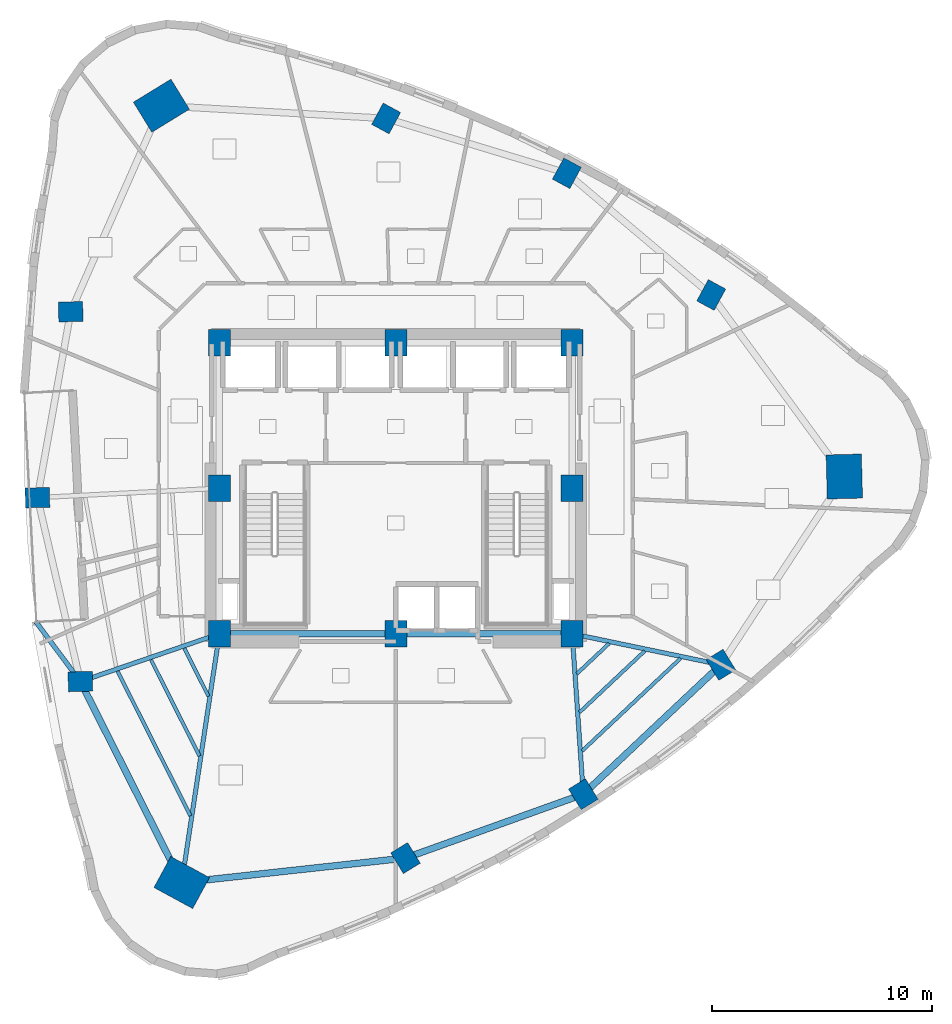
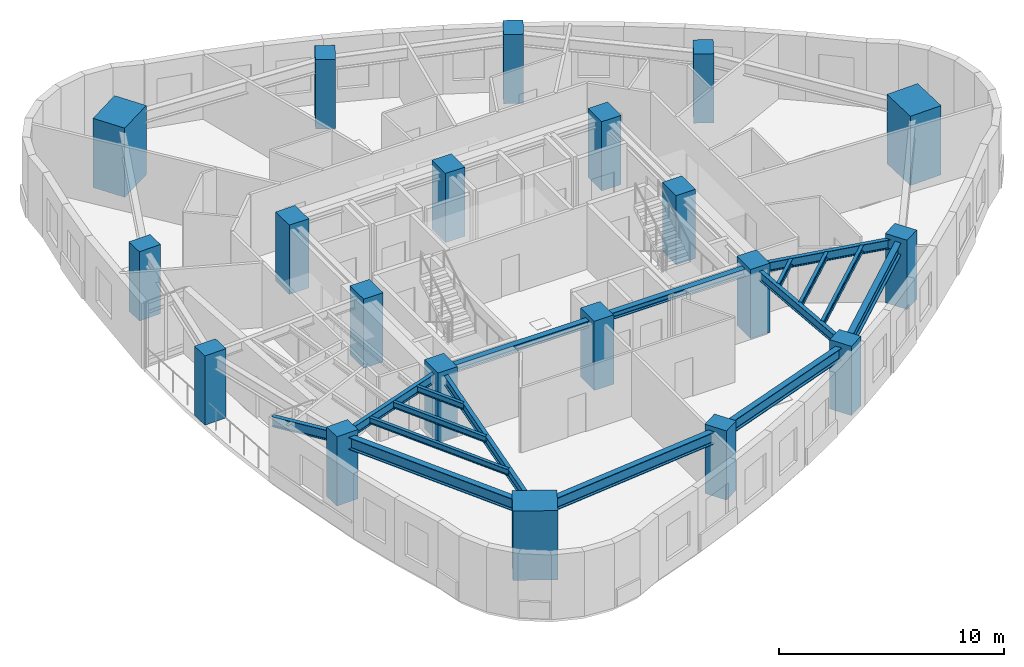
# One storey, part 1 of 12: 20 columns, 17 beams.
"""IFC4 building model written with IfcOpenShell, lengths in metres."""

from ifc_helpers import new_model, si_unit, direction, frame, origin, origin_2d, place, context, subcontext, project, spatial, rectangle, i_section, extrude, material, material_profile, profile_set, type_object, element, save


model = new_model("IFC4")

# Units and contexts
model_context = context("Model", 3, precision=1e-05, world=origin(), true_north=direction((0.0, 1.0)))
body_context = subcontext(model_context, "Body", "Model", "MODEL_VIEW")
ifc_project = project(units=[si_unit("LENGTHUNIT", "METRE"), si_unit("AREAUNIT", "SQUARE_METRE"), si_unit("VOLUMEUNIT", "CUBIC_METRE"), si_unit("PLANEANGLEUNIT", "RADIAN"), si_unit("MASSUNIT", "GRAM", prefix="KILO")], contexts=[model_context])

# Site, building, storey
site_placement = place(None, origin())
site = spatial("IfcSite", under=ifc_project, at=site_placement, CompositionType="ELEMENT")
building_placement = place(site_placement, origin())
building = spatial("IfcBuilding", under=site, at=building_placement, Name="Ndelora Gate Hotel", CompositionType="ELEMENT")
storey_placement = place(building_placement, frame((0.0, 0.0, 138.5)))
storey = spatial("IfcBuildingStorey", under=building, at=storey_placement, Name="L34", CompositionType="ELEMENT", Elevation=138.5)

# Columns
ifc_material_1 = material(Name="Concrete C60/75", Category="concrete")
ifc_material_profile_1 = material_profile(ifc_material_1, rectangle(XDim=1.0, YDim=1.199951171875, at=origin_2d()), Name="RC 1200x1000")
ifc_profile_set_1 = profile_set([ifc_material_profile_1], Name="Concrete C60/75")
column_type_1 = type_object("IfcColumnType", Name="COL-CC-MID", PredefinedType="COLUMN", material=ifc_profile_set_1)
for number, where, z_axis, x_axis, name in (
    (1, (-8.0, -6.60009765625, 0.0), (0.0, 0.0, 1.0), (1.0, 0.0, 0.0), "L34 Core Column CC1"),
    (2, (0.0, -6.60009765625, 0.0), (0.0, 0.0, 1.0), (1.0, 0.0, 0.0), "L34 Core Column CC2"),
    (3, (8.0, -6.60009765625, 0.0), (0.0, 0.0, 1.0), (1.0, 0.0, 0.0), "L34 Core Column CC3"),
    (4, (8.0, 0.0, 0.0), (0.0, 0.0, 1.0), (1.0, 0.0, 0.0), "L34 Core Column CC4"),
    (5, (8.0, 6.60009765625, 0.0), (0.0, 0.0, 1.0), (1.0, 0.0, 0.0), "L34 Core Column CC5"),
    (6, (0.0, 6.60009765625, 0.0), (0.0, 0.0, 1.0), (1.0, 0.0, 0.0), "L34 Core Column CC6"),
    (7, (-8.0, 6.60009765625, 0.0), (0.0, 0.0, 1.0), (1.0, 0.0, 0.0), "L34 Core Column CC7"),
    (8, (-8.0, 0.0, 0.0), (0.0, 0.0, 1.0), (1.0, 0.0, 0.0), "L34 Core Column CC8"),
):
    element("IfcColumn", number, at=place(storey_placement, frame(where, z_axis=z_axis, x_axis=x_axis)), inside=storey, type_object=column_type_1, Name=name, PredefinedType="COLUMN", context=body_context, shape_type="SweptSolid", body=[
        extrude(rectangle(XDim=1.0, YDim=1.199951171875, at=origin_2d()), origin(), (0.0, 0.0, 1.0), 3.75),
    ])
ifc_material_profile_2 = material_profile(ifc_material_1, rectangle(XDim=1.60009765625, YDim=2.0, at=origin_2d()), Name="RC 2000x1600")
ifc_profile_set_2 = profile_set([ifc_material_profile_2], Name="Concrete C60/75")
column_type_2 = type_object("IfcColumnType", Name="COL-MC-Z2", PredefinedType="COLUMN", material=ifc_profile_set_2)
for number, where, z_axis, x_axis, name in (
    (9, (-10.63330078125, 17.351806640625, 0.0), (0.0, 0.0, 1.0), (-0.522498564716, 0.852640164354, 0.0), "L34 Corner Mega-Column R1"),
    (10, (-9.71044921875, -17.884521484375, 0.0), (0.0, 0.0, 1.0), (0.47715876026, 0.878817112662, 0.0), "L34 Corner Mega-Column R5"),
    (11, (20.34375, 0.53271484375, 0.0), (0.0, 0.0, 1.0), (0.999657324976, 0.026176948308, 0.0), "L34 Corner Mega-Column R9"),
):
    element("IfcColumn", number, at=place(storey_placement, frame(where, z_axis=z_axis, x_axis=x_axis)), inside=storey, type_object=column_type_2, Name=name, PredefinedType="COLUMN", context=body_context, shape_type="SweptSolid", body=[
        extrude(rectangle(XDim=1.60009765625, YDim=2.0, at=origin_2d()), origin(), (0.0, 0.0, 1.0), 3.75),
    ])
ifc_material_profile_3 = material_profile(ifc_material_1, rectangle(XDim=0.89990234375, YDim=1.10009765625, at=origin_2d()), Name="RC 1100x900")
ifc_profile_set_3 = profile_set([ifc_material_profile_3], Name="Concrete C60/75")
column_type_3 = type_object("IfcColumnType", Name="COL-PT-Z2", PredefinedType="COLUMN", material=ifc_profile_set_3)
for number, where, z_axis, x_axis, name in (
    (12, (-14.74658203125, 8.006591796875, 0.0), (0.0, 0.0, 1.0), (-0.026176948308, 0.999657324976, 0.0), "L34 Perimeter Tube Column R2"),
    (13, (-16.25537109375, -0.42578125, 0.0), (0.0, 0.0, 1.0), (-0.026176948308, 0.999657324976, 0.0), "L34 Perimeter Tube Column R3"),
    (14, (-14.307373046875, -8.767578125, 0.0), (0.0, 0.0, 1.0), (-0.026176948308, 0.999657324976, 0.0), "L34 Perimeter Tube Column R4"),
    (15, (0.439208984375, -16.7744140625, 0.0), (0.0, 0.0, 1.0), (0.852640164354, 0.522498564716, 0.0), "L34 Perimeter Tube Column R6"),
    (16, (8.50439453125, -13.878173828125, 0.0), (0.0, 0.0, 1.0), (0.852640164354, 0.522498564716, 0.0), "L34 Perimeter Tube Column R7"),
    (17, (14.74658203125, -8.006591796875, 0.0), (0.0, 0.0, 1.0), (0.852640164354, 0.522498564716, 0.0), "L34 Perimeter Tube Column R8"),
    (18, (14.30712890625, 8.767333984375, 0.0), (0.0, 0.0, 1.0), (-0.878817112662, 0.47715876026, 0.0), "L34 Perimeter Tube Column R10"),
    (19, (7.759033203125, 14.290283203125, 0.0), (0.0, 0.0, 1.0), (-0.878817112662, 0.47715876026, 0.0), "L34 Perimeter Tube Column R11"),
    (20, (-0.439208984375, 16.7744140625, 0.0), (0.0, 0.0, 1.0), (-0.878817112662, 0.47715876026, 0.0), "L34 Perimeter Tube Column R12"),
):
    element("IfcColumn", number, at=place(storey_placement, frame(where, z_axis=z_axis, x_axis=x_axis)), inside=storey, type_object=column_type_3, Name=name, PredefinedType="COLUMN", context=body_context, shape_type="SweptSolid", body=[
        extrude(rectangle(XDim=0.89990234375, YDim=1.10009765625, at=origin_2d()), origin(), (0.0, 0.0, 1.0), 3.75),
    ])

# Beams
ifc_material_2 = material(Name="Steel S355", Category="steel")
ifc_material_profile_4 = material_profile(ifc_material_2, i_section(OverallWidth=0.300048828125, OverallDepth=0.360107421875, WebThickness=0.012451171875, FlangeThickness=0.0224609375, FilletRadius=0.027099609375, at=origin_2d()), Name="HEB 360")
ifc_profile_set_4 = profile_set([ifc_material_profile_4], Name="Steel S355")
beam_type_1 = type_object("IfcBeamType", Name="BM-CORE-360", PredefinedType="BEAM", material=ifc_profile_set_4)
for number, where, z_axis, x_axis, name in (
    (21, (-8.0, -6.60009765625, 3.320068359375), (1.0, 0.0, 0.0), (0.0, 1.0, 0.0), "L34 Core Tie Girder CC1-CC2"),
    (22, (0.0, -6.60009765625, 3.320068359375), (1.0, 0.0, 0.0), (0.0, 1.0, 0.0), "L34 Core Tie Girder CC2-CC3"),
):
    element("IfcBeam", number, at=place(storey_placement, frame(where, z_axis=z_axis, x_axis=x_axis)), inside=storey, type_object=beam_type_1, Name=name, PredefinedType="BEAM", context=body_context, shape_type="SweptSolid", body=[
        extrude(i_section(OverallWidth=0.300048828125, OverallDepth=0.360107421875, WebThickness=0.012451171875, FlangeThickness=0.0224609375, FilletRadius=0.027099609375, at=origin_2d()), origin(), (0.0, 0.0, 1.0), 8.0),
    ])
ifc_material_profile_5 = material_profile(ifc_material_2, i_section(OverallWidth=0.159912109375, OverallDepth=0.330078125, WebThickness=0.007568359375, FlangeThickness=0.011474609375, FilletRadius=0.01806640625, at=origin_2d()), Name="IPE 330")
ifc_profile_set_5 = profile_set([ifc_material_profile_5], Name="Steel S355")
beam_type_2 = type_object("IfcBeamType", Name="BM-JST-330", PredefinedType="JOIST", material=ifc_profile_set_5)
beam_1_placement = place(storey_placement, frame((-9.59033203125, -7.26171875, 3.3349609375), z_axis=(0.450139260243, -0.892958367668, 0.0), x_axis=(0.892958367668, 0.450139260243, 0.0)))
element("IfcBeam", 23, at=beam_1_placement, inside=storey, type_object=beam_type_2, Name="L34 Secondary Composite Floor Joist IN-4", PredefinedType="JOIST", context=body_context, shape_type="SweptSolid", body=[
    extrude(i_section(OverallWidth=0.159912109375, OverallDepth=0.330078125, WebThickness=0.007568359375, FlangeThickness=0.011474609375, FilletRadius=0.01806640625, at=origin_2d()), origin(), (0.0, 0.0, 1.0), 2.4345703125),
])
beam_2_placement = place(storey_placement, frame((-11.10400390625, -7.781982421875, 3.3349609375), z_axis=(0.450189724408, -0.892932926953, 0.0), x_axis=(0.892932926953, 0.450189724408, 0.0)))
element("IfcBeam", 24, at=beam_2_placement, inside=storey, type_object=beam_type_2, Name="L34 Secondary Composite Floor Joist MID-4", PredefinedType="JOIST", context=body_context, shape_type="SweptSolid", body=[
    extrude(i_section(OverallWidth=0.159912109375, OverallDepth=0.330078125, WebThickness=0.007568359375, FlangeThickness=0.011474609375, FilletRadius=0.01806640625, at=origin_2d()), origin(), (0.0, 0.0, 1.0), 4.885009765625),
])
beam_3_placement = place(storey_placement, frame((-12.617919921875, -8.30224609375, 3.3349609375), z_axis=(0.45023300903, -0.892911102843, 0.0), x_axis=(0.892911102843, 0.45023300903, 0.0)))
element("IfcBeam", 25, at=beam_3_placement, inside=storey, type_object=beam_type_2, Name="L34 Secondary Composite Floor Joist OUT-4", PredefinedType="JOIST", context=body_context, shape_type="SweptSolid", body=[
    extrude(i_section(OverallWidth=0.159912109375, OverallDepth=0.330078125, WebThickness=0.007568359375, FlangeThickness=0.011474609375, FilletRadius=0.01806640625, at=origin_2d()), origin(), (0.0, 0.0, 1.0), 7.335693359375),
])
beam_4_placement = place(storey_placement, frame((8.211181640625, -8.4169921875, 3.3349609375), z_axis=(0.728414088998, 0.685137150466, 0.0), x_axis=(-0.685137150466, 0.728414088998, 0.0)))
element("IfcBeam", 26, at=beam_4_placement, inside=storey, type_object=beam_type_2, Name="L34 Secondary Composite Floor Joist IN-7", PredefinedType="JOIST", context=body_context, shape_type="SweptSolid", body=[
    extrude(i_section(OverallWidth=0.159912109375, OverallDepth=0.330078125, WebThickness=0.007568359375, FlangeThickness=0.011474609375, FilletRadius=0.01806640625, at=origin_2d()), origin(), (0.0, 0.0, 1.0), 2.00830078125),
])
beam_5_placement = place(storey_placement, frame((8.33251953125, -10.163818359375, 3.3349609375), z_axis=(0.728369245526, 0.685184823366, 0.0), x_axis=(-0.685184823366, 0.728369245526, 0.0)))
element("IfcBeam", 27, at=beam_5_placement, inside=storey, type_object=beam_type_2, Name="L34 Secondary Composite Floor Joist MID-7", PredefinedType="JOIST", context=body_context, shape_type="SweptSolid", body=[
    extrude(i_section(OverallWidth=0.159912109375, OverallDepth=0.330078125, WebThickness=0.007568359375, FlangeThickness=0.011474609375, FilletRadius=0.01806640625, at=origin_2d()), origin(), (0.0, 0.0, 1.0), 4.06494140625),
])
beam_6_placement = place(storey_placement, frame((8.45361328125, -11.910400390625, 3.3349609375), z_axis=(0.728393161111, 0.68515939959, 0.0), x_axis=(-0.68515939959, 0.728393161111, 0.0)))
element("IfcBeam", 28, at=beam_6_placement, inside=storey, type_object=beam_type_2, Name="L34 Secondary Composite Floor Joist OUT-7", PredefinedType="JOIST", context=body_context, shape_type="SweptSolid", body=[
    extrude(i_section(OverallWidth=0.159912109375, OverallDepth=0.330078125, WebThickness=0.007568359375, FlangeThickness=0.011474609375, FilletRadius=0.01806640625, at=origin_2d()), origin(), (0.0, 0.0, 1.0), 6.121337890625),
])
ifc_material_profile_6 = material_profile(ifc_material_2, i_section(OverallWidth=0.199951171875, OverallDepth=0.5, WebThickness=0.01025390625, FlangeThickness=0.01611328125, FilletRadius=0.02099609375, at=origin_2d()), Name="IPE 500")
ifc_profile_set_6 = profile_set([ifc_material_profile_6], Name="Steel S355")
beam_type_3 = type_object("IfcBeamType", Name="BM-RAD-500", PredefinedType="BEAM", material=ifc_profile_set_6)
beam_7_placement = place(storey_placement, frame((-8.0, -6.60009765625, 3.25), z_axis=(-0.945717893913, -0.324988715392, 0.0), x_axis=(0.324988715392, -0.945717893913, 0.0)))
element("IfcBeam", 29, at=beam_7_placement, inside=storey, type_object=beam_type_3, Name="L34 Radial Floor Girder 4", PredefinedType="BEAM", context=body_context, shape_type="SweptSolid", body=[
    extrude(i_section(OverallWidth=0.199951171875, OverallDepth=0.5, WebThickness=0.01025390625, FlangeThickness=0.01611328125, FilletRadius=0.02099609375, at=origin_2d()), origin(), (0.0, 0.0, 1.0), 6.66943359375),
])
beam_8_placement = place(storey_placement, frame((-8.0, -6.60009765625, 3.25), z_axis=(-0.149864309615, -0.988706573612, 0.0), x_axis=(0.988706573612, -0.149864309615, 0.0)))
element("IfcBeam", 30, at=beam_8_placement, inside=storey, type_object=beam_type_3, Name="L34 Radial Floor Girder 5", PredefinedType="BEAM", context=body_context, shape_type="SweptSolid", body=[
    extrude(i_section(OverallWidth=0.199951171875, OverallDepth=0.5, WebThickness=0.01025390625, FlangeThickness=0.01611328125, FilletRadius=0.02099609375, at=origin_2d()), origin(), (0.0, 0.0, 1.0), 11.413330078125),
])
beam_9_placement = place(storey_placement, frame((8.0, -6.60009765625, 3.25), z_axis=(0.069137444551, -0.997607144001, 0.0), x_axis=(0.997607144001, 0.069137444551, 0.0)))
element("IfcBeam", 31, at=beam_9_placement, inside=storey, type_object=beam_type_3, Name="L34 Radial Floor Girder 7", PredefinedType="BEAM", context=body_context, shape_type="SweptSolid", body=[
    extrude(i_section(OverallWidth=0.199951171875, OverallDepth=0.5, WebThickness=0.01025390625, FlangeThickness=0.01611328125, FilletRadius=0.02099609375, at=origin_2d()), origin(), (0.0, 0.0, 1.0), 7.295654296875),
])
beam_10_placement = place(storey_placement, frame((8.0, -6.60009765625, 3.25), z_axis=(0.978952706778, -0.204087231083, 0.0), x_axis=(0.204087231083, 0.978952706778, 0.0)))
element("IfcBeam", 32, at=beam_10_placement, inside=storey, type_object=beam_type_3, Name="L34 Radial Floor Girder 8", PredefinedType="BEAM", context=body_context, shape_type="SweptSolid", body=[
    extrude(i_section(OverallWidth=0.199951171875, OverallDepth=0.5, WebThickness=0.01025390625, FlangeThickness=0.01611328125, FilletRadius=0.02099609375, at=origin_2d()), origin(), (0.0, 0.0, 1.0), 6.8916015625),
])
ifc_material_profile_7 = material_profile(ifc_material_2, i_section(OverallWidth=0.2099609375, OverallDepth=0.550048828125, WebThickness=0.010986328125, FlangeThickness=0.01708984375, FilletRadius=0.02392578125, at=origin_2d()), Name="IPE 550")
ifc_profile_set_7 = profile_set([ifc_material_profile_7], Name="Steel S355")
beam_type_4 = type_object("IfcBeamType", Name="BM-RAD-550", PredefinedType="BEAM", material=ifc_profile_set_7)
beam_11_placement = place(storey_placement, frame((-14.307373046875, -8.767578125, 3.22509765625), z_axis=(-0.597076866602, 0.802184028368, 0.0), x_axis=(-0.802184028368, -0.597076866602, 0.0)))
element("IfcBeam", 33, at=beam_11_placement, inside=storey, type_object=beam_type_4, Name="L34 Sky-Garden Loggia Column Bracket 3", PredefinedType="BEAM", context=body_context, shape_type="SweptSolid", body=[
    extrude(i_section(OverallWidth=0.2099609375, OverallDepth=0.550048828125, WebThickness=0.010986328125, FlangeThickness=0.01708984375, FilletRadius=0.02392578125, at=origin_2d()), origin(), (0.0, 0.0, 1.0), 3.3720703125),
])
ifc_material_profile_8 = material_profile(ifc_material_2, i_section(OverallWidth=0.300048828125, OverallDepth=0.64990234375, WebThickness=0.01611328125, FlangeThickness=0.031005859375, FilletRadius=0.027099609375, at=origin_2d()), Name="HEB 650")
ifc_profile_set_8 = profile_set([ifc_material_profile_8], Name="Steel S355")
beam_type_5 = type_object("IfcBeamType", Name="BM-RING-650", PredefinedType="SPANDREL", material=ifc_profile_set_8)
for number, where, z_axis, x_axis, name in (
    (34, (-14.307373046875, -8.767578125, 3.175048828125), (0.450223868811, -0.892915711561, 0.0), (0.892915711561, 0.450223868811, 0.0), "L34 Perimeter Spandrel Girder 4"),
    (35, (-9.71044921875, -17.884521484375, 3.175048828125), (0.994071812898, 0.108725483685, 0.0), (-0.108725483685, 0.994071812898, 0.0), "L34 Perimeter Spandrel Girder 5"),
):
    element("IfcBeam", number, at=place(storey_placement, frame(where, z_axis=z_axis, x_axis=x_axis)), inside=storey, type_object=beam_type_5, Name=name, PredefinedType="SPANDREL", context=body_context, shape_type="SweptSolid", body=[
        extrude(i_section(OverallWidth=0.300048828125, OverallDepth=0.64990234375, WebThickness=0.01611328125, FlangeThickness=0.031005859375, FilletRadius=0.027099609375, at=origin_2d()), origin(), (0.0, 0.0, 1.0), 10.210205078125),
    ])
beam_12_placement = place(storey_placement, frame((0.439208984375, -16.7744140625, 3.175048828125), z_axis=(0.941155870835, 0.337972819607, 0.0), x_axis=(-0.337972819607, 0.941155870835, 0.0)))
element("IfcBeam", 36, at=beam_12_placement, inside=storey, type_object=beam_type_5, Name="L34 Perimeter Spandrel Girder 6", PredefinedType="SPANDREL", context=body_context, shape_type="SweptSolid", body=[
    extrude(i_section(OverallWidth=0.300048828125, OverallDepth=0.64990234375, WebThickness=0.01611328125, FlangeThickness=0.031005859375, FilletRadius=0.027099609375, at=origin_2d()), origin(), (0.0, 0.0, 1.0), 8.5693359375),
])
beam_13_placement = place(storey_placement, frame((8.50439453125, -13.878173828125, 3.175048828125), z_axis=(0.728399016952, 0.68515317419, 0.0), x_axis=(-0.68515317419, 0.728399016952, 0.0)))
element("IfcBeam", 37, at=beam_13_placement, inside=storey, type_object=beam_type_5, Name="L34 Perimeter Spandrel Girder 7", PredefinedType="SPANDREL", context=body_context, shape_type="SweptSolid", body=[
    extrude(i_section(OverallWidth=0.300048828125, OverallDepth=0.64990234375, WebThickness=0.01611328125, FlangeThickness=0.031005859375, FilletRadius=0.027099609375, at=origin_2d()), origin(), (0.0, 0.0, 1.0), 8.56982421875),
])

save(model, "model.ifc")
